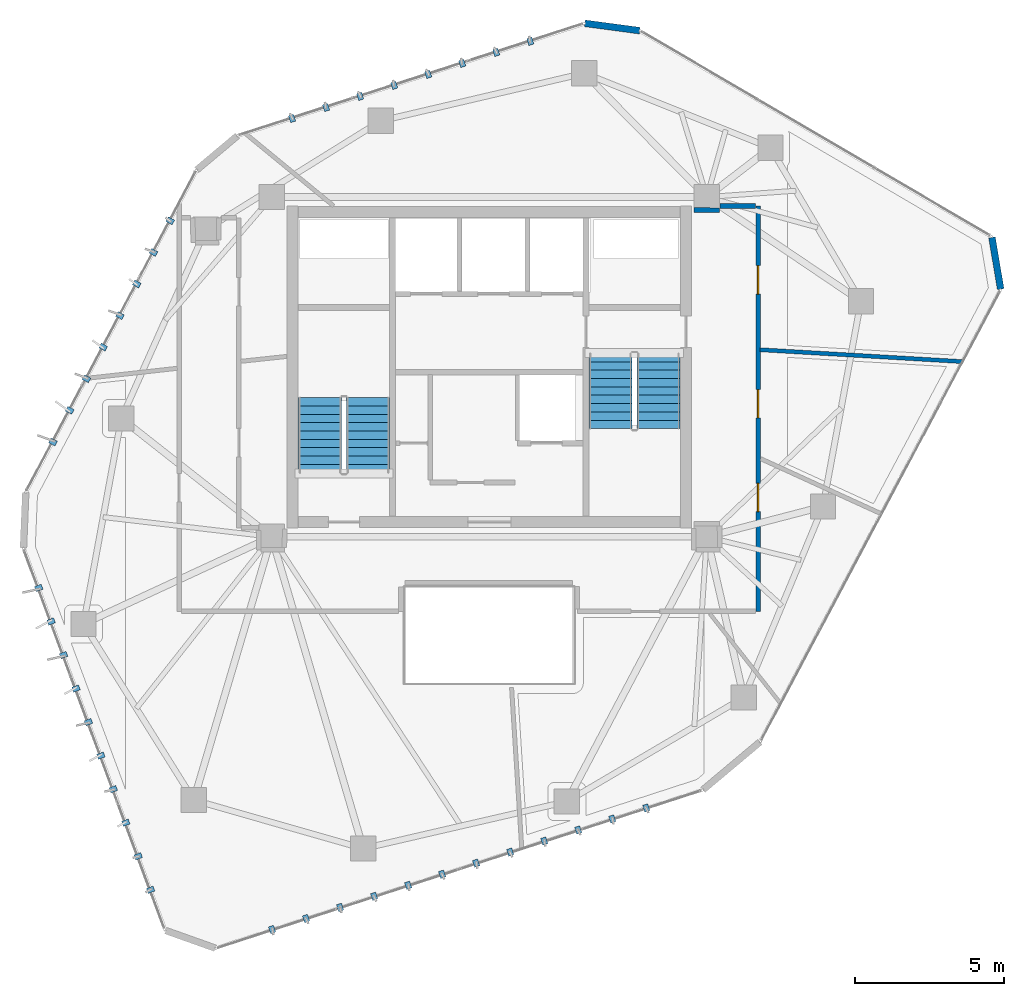
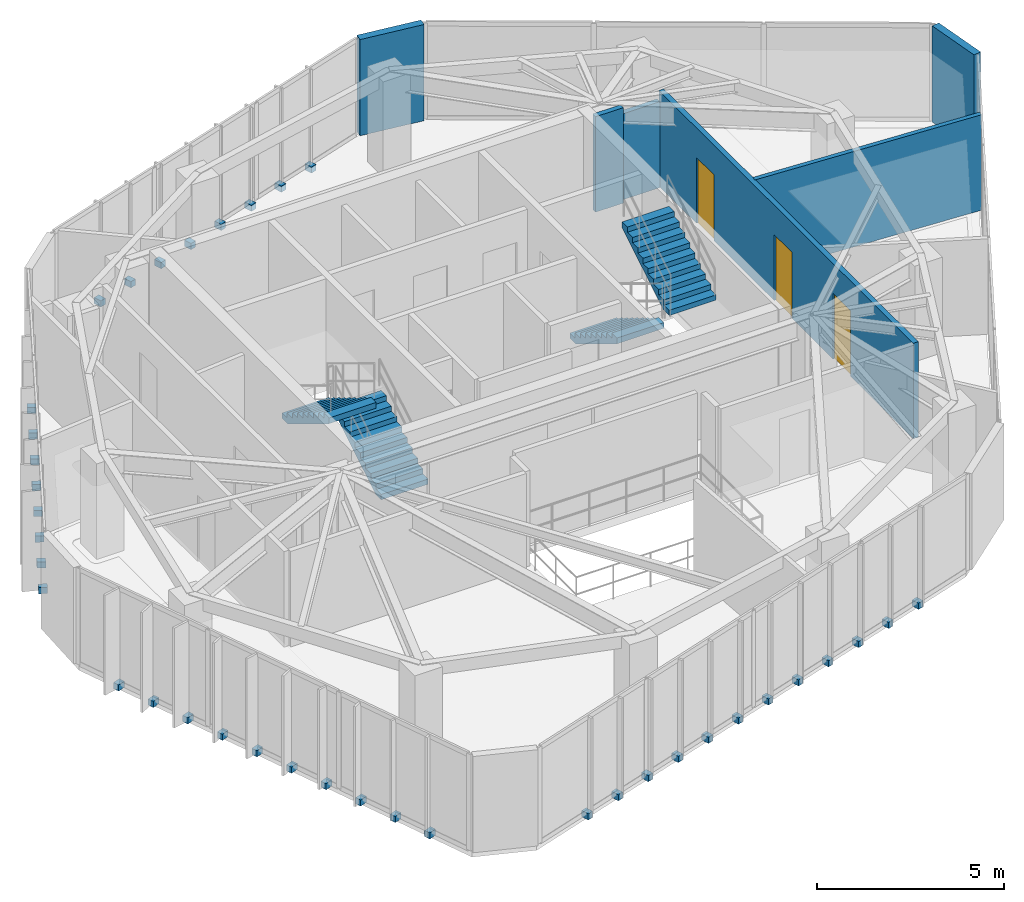
# One storey, part 17 of 19: 38 discrete accessories, 6 walls, 4 stair flights, 3 doors, 3 openings, 2 elements without a shape of their own.
"""IFC4 building model written with IfcOpenShell, lengths in metres."""

from ifc_helpers import new_model, si_unit, direction, frame, frame_2d, origin, origin_2d, place, context, subcontext, project, spatial, polyline, rectangle, outline, extrude, source, transform, mapped, material, layer, layer_set, type_object, type_shapes, element, fill, aggregate, save


model = new_model("IFC4")

# Units and contexts
model_context = context("Model", 3, precision=1e-05, world=origin(), true_north=direction((0.0, 1.0)))
body_context = subcontext(model_context, "Body", "Model", "MODEL_VIEW")
ifc_project = project(units=[si_unit("LENGTHUNIT", "METRE"), si_unit("AREAUNIT", "SQUARE_METRE"), si_unit("VOLUMEUNIT", "CUBIC_METRE"), si_unit("PLANEANGLEUNIT", "RADIAN"), si_unit("MASSUNIT", "GRAM", prefix="KILO")], contexts=[model_context])

# Site, building, storey
site_placement = place(None, origin())
site = spatial("IfcSite", under=ifc_project, at=site_placement, CompositionType="ELEMENT")
building_placement = place(site_placement, origin())
building = spatial("IfcBuilding", under=site, at=building_placement, Name="Talar Marvaseh", CompositionType="ELEMENT")
storey_placement = place(building_placement, frame((0.0, 0.0, 288.39990234375)))
storey = spatial("IfcBuildingStorey", under=building, at=storey_placement, Name="L77", CompositionType="ELEMENT", Elevation=288.39990234375)

# Walls
ifc_material_1 = material(Name="Precast concrete C45/55", Category="concrete")
ifc_layer_1 = layer(ifc_material_1, 0.22509765625)
ifc_layer_set_1 = layer_set([ifc_layer_1], Name="Precast concrete C45/55")
wall_type_1 = type_object("IfcWallType", Name="Chamfered Hexagonal Corner Pier Wall Z4 225", PredefinedType="SOLIDWALL", material=ifc_layer_set_1)
wall_1_placement = place(storey_placement, frame((29.209716796875, 42.726806640625, 0.0), z_axis=(0.0, 0.0, 1.0), x_axis=(0.991157701661, -0.132689149659, 0.0)))
element("IfcWall", 1, at=wall_1_placement, inside=storey, type_object=wall_type_1, Name="L77 Chamfered Corner Limestone Pier 4", PredefinedType="SOLIDWALL", context=body_context, shape_type="SweptSolid", body=[
    extrude(rectangle(XDim=1.8564453125, YDim=0.22509765625, at=frame_2d((0.92822265625, 0.0))), origin(), (0.0, 0.0, 1.0), 3.14013671875),
])
wall_2_placement = place(storey_placement, frame((42.867431640625, 35.54248046875, 0.0), z_axis=(0.0, 0.0, 1.0), x_axis=(0.166380537977, -0.98606161906, 0.0)))
element("IfcWall", 2, at=wall_2_placement, inside=storey, type_object=wall_type_1, Name="L77 Chamfered Corner Limestone Pier 5", PredefinedType="SOLIDWALL", context=body_context, shape_type="SweptSolid", body=[
    extrude(rectangle(XDim=1.7578125, YDim=0.22509765625, at=frame_2d((0.87890625, 0.0))), origin(), (0.0, 0.0, 1.0), 3.14013671875),
])

# Wall, openings, doors
ifc_material_2 = material(Name="Gypsum Board Partition Assembly")
ifc_layer_2 = layer(ifc_material_2, 0.155029296875)
ifc_layer_set_2 = layer_set([ifc_layer_2], Name="Gypsum Board Partition Assembly")
wall_type_2 = type_object("IfcWallType", Name="Corridor Fire-Rated Acoustic Partition 155", PredefinedType="PARTITIONING", material=ifc_layer_set_2)
wall_3_placement = place(storey_placement, frame((35.02001953125, 36.60009765625, 0.0), z_axis=(0.0, 0.0, 1.0), x_axis=(0.0, -1.0, 0.0)))
wall_3 = element("IfcWall", 3, at=wall_3_placement, inside=storey, type_object=wall_type_2, Name="L77 Interior Partition Wall", PredefinedType="PARTITIONING", context=body_context, shape_type="SweptSolid", body=[
    extrude(rectangle(XDim=13.60009765625, YDim=0.155029296875, at=frame_2d((6.800048828125, 0.0))), origin(), (0.0, 0.0, 1.0), 3.114990234375),
])
opening_1_placement = place(wall_3_placement, frame((9.305908203125, 0.0, 0.0)))
opening_1 = element("IfcOpeningElement", 4, at=opening_1_placement, cuts=wall_3, Name="Opening DR-WC095", PredefinedType="OPENING", context=body_context, shape_type="SweptSolid", body=[
    extrude(rectangle(XDim=0.949951171875, YDim=2.14990234375, at=frame_2d((0.47509765625, 1.074951171875))), frame((0.0, 0.08740234375, 0.0), z_axis=(0.0, -1.0, 0.0), x_axis=(1.0, 0.0, 0.0)), (0.0, 0.0, 1.0), 0.175048828125),
])
opening_2_placement = place(wall_3_placement, frame((6.160888671875, 0.0, 0.0)))
opening_2 = element("IfcOpeningElement", 5, at=opening_2_placement, cuts=wall_3, Name="Opening DR-WC095", PredefinedType="OPENING", context=body_context, shape_type="SweptSolid", body=[
    extrude(rectangle(XDim=0.949951171875, YDim=2.14990234375, at=frame_2d((0.47509765625, 1.074951171875))), frame((0.0, 0.08740234375, 0.0), z_axis=(0.0, -1.0, 0.0), x_axis=(1.0, 0.0, 0.0)), (0.0, 0.0, 1.0), 0.175048828125),
])
opening_3_placement = place(wall_3_placement, frame((2.006103515625, 0.0, 0.0)))
opening_3 = element("IfcOpeningElement", 6, at=opening_3_placement, cuts=wall_3, Name="Opening DR-WC095", PredefinedType="OPENING", context=body_context, shape_type="SweptSolid", body=[
    extrude(rectangle(XDim=0.949951171875, YDim=2.14990234375, at=frame_2d((0.47509765625, 1.074951171875))), frame((0.0, 0.08740234375, 0.0), z_axis=(0.0, -1.0, 0.0), x_axis=(1.0, 0.0, 0.0)), (0.0, 0.0, 1.0), 0.175048828125),
])
ifc_material_3 = material(Name="Acoustic Engineered Oak Timber", Category="wood")
door_type = type_object("IfcDoorType", Name="Washroom and Service Room Door 950x2150", OperationType="NOTDEFINED", PredefinedType="DOOR", material=ifc_material_3)
shared_shape_1 = source(origin(), body_context, "Body", "SweptSolid", [
    extrude(rectangle(XDim=0.949951171875, YDim=2.14990234375, at=frame_2d((0.47509765625, 1.074951171875))), frame((0.0, 0.02490234375, 0.0), z_axis=(0.0, -1.0, 0.0), x_axis=(1.0, 0.0, 0.0)), (0.0, 0.0, 1.0), 0.050048828125),
])
type_shapes(door_type, [shared_shape_1])
door_1_placement = place(opening_1_placement, origin())
door_1 = element("IfcDoor", 7, at=door_1_placement, inside=storey, type_object=door_type, Name="L77 Accessible WC Door", OperationType="SINGLE_SWING_RIGHT", OverallHeight=2.14990234375, OverallWidth=0.949951171875, PredefinedType="DOOR", context=body_context, shape_type="MappedRepresentation", body=[
    mapped(shared_shape_1, transform((0.0, 0.0, 0.0), x_axis=(1.0, 0.0, 0.0), y_axis=(0.0, 1.0, 0.0), z_axis=(0.0, 0.0, 1.0), scale=1.0)),
])
fill(opening_1, door_1)
door_2_placement = place(opening_2_placement, origin())
door_2 = element("IfcDoor", 8, at=door_2_placement, inside=storey, type_object=door_type, Name="L77 Collection Conservation Store Door", OperationType="SINGLE_SWING_LEFT", OverallHeight=2.14990234375, OverallWidth=0.949951171875, PredefinedType="DOOR", context=body_context, shape_type="MappedRepresentation", body=[
    mapped(shared_shape_1, transform((0.0, 0.0, 0.0), x_axis=(1.0, 0.0, 0.0), y_axis=(0.0, 1.0, 0.0), z_axis=(0.0, 0.0, 1.0), scale=1.0)),
])
fill(opening_2, door_2)
door_3_placement = place(opening_3_placement, origin())
door_3 = element("IfcDoor", 9, at=door_3_placement, inside=storey, type_object=door_type, Name="L77 Scholars' Servery Pantry Door", OperationType="SINGLE_SWING_RIGHT", OverallHeight=2.14990234375, OverallWidth=0.949951171875, PredefinedType="DOOR", context=body_context, shape_type="MappedRepresentation", body=[
    mapped(shared_shape_1, transform((0.0, 0.0, 0.0), x_axis=(1.0, 0.0, 0.0), y_axis=(0.0, 1.0, 0.0), z_axis=(0.0, 0.0, 1.0), scale=1.0)),
])
fill(opening_3, door_3)

# Walls
wall_4_placement = place(storey_placement, frame((32.8701171875, 36.464599609375, 0.0), z_axis=(0.0, 0.0, 1.0), x_axis=(0.999986873463, -0.005123758532, 0.0)))
element("IfcWall", 10, at=wall_4_placement, inside=storey, type_object=wall_type_2, Name="L77 Interior Partition Wall", PredefinedType="PARTITIONING", context=body_context, shape_type="SweptSolid", body=[
    extrude(rectangle(XDim=0.857666015625, YDim=0.155029296875, at=frame_2d((0.4287109375, 0.0))), origin(), (0.0, 0.0, 1.0), 3.114990234375),
])
wall_5_placement = place(storey_placement, frame((33.739990234375, 36.60009765625, 0.0), z_axis=(0.0, 0.0, 1.0), x_axis=(1.0, 0.0, 0.0)))
element("IfcWall", 11, at=wall_5_placement, inside=storey, type_object=wall_type_2, Name="L77 Interior Partition Wall", PredefinedType="PARTITIONING", context=body_context, shape_type="SweptSolid", body=[
    extrude(rectangle(XDim=1.196533203125, YDim=0.155029296875, at=frame_2d((0.59814453125, 0.0))), origin(), (0.0, 0.0, 1.0), 2.802001953125),
])
ifc_layer_3 = layer(ifc_material_2, 0.135009765625)
ifc_layer_set_3 = layer_set([ifc_layer_3], Name="Gypsum Board Partition Assembly")
wall_type_3 = type_object("IfcWallType", Name="Gallery High-Acoustic Partition 135", PredefinedType="PARTITIONING", material=ifc_layer_set_3)
wall_6_placement = place(storey_placement, frame((35.0849609375, 31.776123046875, 0.0), z_axis=(0.0, 0.0, 1.0), x_axis=(0.998279210809, -0.058639724304, 0.0)))
element("IfcWall", 12, at=wall_6_placement, inside=storey, type_object=wall_type_3, Name="L77 Interior Partition Wall", PredefinedType="PARTITIONING", context=body_context, shape_type="SweptSolid", body=[
    extrude(rectangle(XDim=6.7822265625, YDim=0.135009765625, at=frame_2d((3.39111328125, 0.0))), origin(), (0.0, 0.0, 1.0), 3.114990234375),
])

# Stair, stair flights
ifc_material_4 = material(Name="Concrete C40/50", Category="concrete")
stair_type = type_object("IfcStairType", Name="Reinforced Concrete High-Rise Exit Stair Type C", PredefinedType="HALF_TURN_STAIR", material=ifc_material_4)
stair_1_placement = place(storey_placement, origin())
stair_1 = element("IfcStair", 13, at=stair_1_placement, inside=storey, type_object=stair_type, Name="L77 Tower West Core Exit Stair", PredefinedType="HALF_TURN_STAIR")
ifc_layer_4 = layer(ifc_material_4, 0.159912109375)
ifc_layer_set_4 = layer_set([ifc_layer_4], Name="Concrete C40/50")
stair_flight_type = type_object("IfcStairFlightType", Name="Reinforced Concrete Straight Stair Flight 160", PredefinedType="STRAIGHT", material=ifc_layer_set_4)
stair_flight_1_placement = place(storey_placement, frame((21.93505859375, 27.64990234375, 0.0), z_axis=(0.0, 0.0, 1.0), x_axis=(0.0, 1.0, 0.0)))
stair_flight_1 = element("IfcStairFlight", 14, at=stair_flight_1_placement, type_object=stair_flight_type, Name="ST-1 flight 1", NumberOfRisers=10, NumberOfTreads=9, PredefinedType="STRAIGHT", RiserHeight=0.17, TreadLength=0.28, context=body_context, shape_type="SweptSolid", body=[
    extrude(outline(polyline([(0.0, 0.0), (0.0, 0.169921875), (0.280029296875, 0.169921875), (0.280029296875, 0.340087890625), (0.56005859375, 0.340087890625), (0.56005859375, 0.510009765625), (0.840087890625, 0.510009765625), (0.840087890625, 0.679931640625), (1.1201171875, 0.679931640625), (1.1201171875, 0.85009765625), (1.39990234375, 0.85009765625), (1.39990234375, 1.02001953125), (1.679931640625, 1.02001953125), (1.679931640625, 1.18994140625), (1.9599609375, 1.18994140625), (1.9599609375, 1.360107421875), (2.239990234375, 1.360107421875), (2.239990234375, 1.530029296875), (2.52001953125, 1.530029296875), (2.52001953125, 1.699951171875), (2.52001953125, 1.343017578125), (0.30810546875, 0.0), (0.0, 0.0)])), frame((0.0, 0.72509765625, 0.0), z_axis=(0.0, -1.0, 0.0), x_axis=(1.0, 0.0, 0.0)), (0.0, 0.0, 1.0), 1.449951171875),
])
stair_flight_2_placement = place(storey_placement, frame((20.324951171875, 30.169921875, 1.7001953125), z_axis=(0.0, 0.0, 1.0), x_axis=(0.0, -1.0, 0.0)))
stair_flight_2 = element("IfcStairFlight", 15, at=stair_flight_2_placement, type_object=stair_flight_type, Name="ST-1 flight 2", NumberOfRisers=10, NumberOfTreads=9, PredefinedType="STRAIGHT", RiserHeight=0.17, TreadLength=0.28, context=body_context, shape_type="SweptSolid", body=[
    extrude(outline(polyline([(0.0, 0.0), (0.0, 0.169921875), (0.280029296875, 0.169921875), (0.280029296875, 0.340087890625), (0.56005859375, 0.340087890625), (0.56005859375, 0.510009765625), (0.840087890625, 0.510009765625), (0.840087890625, 0.679931640625), (1.1201171875, 0.679931640625), (1.1201171875, 0.85009765625), (1.39990234375, 0.85009765625), (1.39990234375, 1.02001953125), (1.679931640625, 1.02001953125), (1.679931640625, 1.18994140625), (1.9599609375, 1.18994140625), (1.9599609375, 1.360107421875), (2.239990234375, 1.360107421875), (2.239990234375, 1.530029296875), (2.52001953125, 1.530029296875), (2.52001953125, 1.699951171875), (2.52001953125, 1.343017578125), (0.30810546875, 0.0), (0.0, 0.0)])), frame((0.0, 0.72509765625, 0.0), z_axis=(0.0, -1.0, 0.0), x_axis=(1.0, 0.0, 0.0)), (0.0, 0.0, 1.0), 1.449951171875),
])
aggregate(stair_1, [stair_flight_1, stair_flight_2])

stair_2_placement = place(storey_placement, origin())
stair_2 = element("IfcStair", 16, at=stair_2_placement, inside=storey, type_object=stair_type, Name="L77 Tower East Core Exit Stair", PredefinedType="HALF_TURN_STAIR")
stair_flight_3_placement = place(storey_placement, frame((30.06494140625, 31.64990234375, 0.0), z_axis=(0.0, 0.0, 1.0), x_axis=(0.0, -1.0, 0.0)))
stair_flight_3 = element("IfcStairFlight", 17, at=stair_flight_3_placement, type_object=stair_flight_type, Name="ST-2 flight 1", NumberOfRisers=10, NumberOfTreads=9, PredefinedType="STRAIGHT", RiserHeight=0.17, TreadLength=0.28, context=body_context, shape_type="SweptSolid", body=[
    extrude(outline(polyline([(0.0, 0.0), (0.0, 0.169921875), (0.280029296875, 0.169921875), (0.280029296875, 0.340087890625), (0.56005859375, 0.340087890625), (0.56005859375, 0.510009765625), (0.840087890625, 0.510009765625), (0.840087890625, 0.679931640625), (1.1201171875, 0.679931640625), (1.1201171875, 0.85009765625), (1.39990234375, 0.85009765625), (1.39990234375, 1.02001953125), (1.679931640625, 1.02001953125), (1.679931640625, 1.18994140625), (1.9599609375, 1.18994140625), (1.9599609375, 1.360107421875), (2.239990234375, 1.360107421875), (2.239990234375, 1.530029296875), (2.52001953125, 1.530029296875), (2.52001953125, 1.699951171875), (2.52001953125, 1.343017578125), (0.30810546875, 0.0), (0.0, 0.0)])), frame((0.0, 0.72509765625, 0.0), z_axis=(0.0, -1.0, 0.0), x_axis=(1.0, 0.0, 0.0)), (0.0, 0.0, 1.0), 1.449951171875),
])
stair_flight_4_placement = place(storey_placement, frame((31.675048828125, 29.1298828125, 1.7001953125), z_axis=(0.0, 0.0, 1.0), x_axis=(0.0, 1.0, 0.0)))
stair_flight_4 = element("IfcStairFlight", 18, at=stair_flight_4_placement, type_object=stair_flight_type, Name="ST-2 flight 2", NumberOfRisers=10, NumberOfTreads=9, PredefinedType="STRAIGHT", RiserHeight=0.17, TreadLength=0.28, context=body_context, shape_type="SweptSolid", body=[
    extrude(outline(polyline([(0.0, 0.0), (0.0, 0.169921875), (0.280029296875, 0.169921875), (0.280029296875, 0.340087890625), (0.56005859375, 0.340087890625), (0.56005859375, 0.510009765625), (0.840087890625, 0.510009765625), (0.840087890625, 0.679931640625), (1.1201171875, 0.679931640625), (1.1201171875, 0.85009765625), (1.39990234375, 0.85009765625), (1.39990234375, 1.02001953125), (1.679931640625, 1.02001953125), (1.679931640625, 1.18994140625), (1.9599609375, 1.18994140625), (1.9599609375, 1.360107421875), (2.239990234375, 1.360107421875), (2.239990234375, 1.530029296875), (2.52001953125, 1.530029296875), (2.52001953125, 1.699951171875), (2.52001953125, 1.343017578125), (0.30810546875, 0.0), (0.0, 0.0)])), frame((0.0, 0.72509765625, 0.0), z_axis=(0.0, -1.0, 0.0), x_axis=(1.0, 0.0, 0.0)), (0.0, 0.0, 1.0), 1.449951171875),
])
aggregate(stair_2, [stair_flight_3, stair_flight_4])

# Discrete accessories
ifc_material_5 = material(Name="Stainless Steel Grade 316", Category="steel")
discrete_accessory_type = type_object("IfcDiscreteAccessoryType", Name="Stainless Slab-Edge Fin Mounting Bracket", PredefinedType="BRACKET", material=ifc_material_5)
shared_shape_2 = source(origin(), body_context, "Body", "SweptSolid", [
    extrude(rectangle(XDim=0.239990234375, YDim=0.179931640625, at=origin_2d()), origin(), (0.0, 0.0, 1.0), 0.199951171875),
])
type_shapes(discrete_accessory_type, [shared_shape_2])
for number, where, z_axis, x_axis, name in (
    (19, (14.640380859375, 13.656982421875, -0.1796875), (0.0, 0.0, 1.0), (-0.937585819058, -0.347753981862, 0.0), "L77 Vertical Fin Slab-Edge Bracket"),
    (20, (14.223388671875, 14.781982421875, -0.1796875), (0.0, 0.0, 1.0), (-0.937585819058, -0.347753981862, 0.0), "L77 Vertical Fin Slab-Edge Bracket"),
    (21, (13.80615234375, 15.9072265625, -0.1796875), (0.0, 0.0, 1.0), (-0.937585819058, -0.347753981862, 0.0), "L77 Vertical Fin Slab-Edge Bracket"),
    (22, (13.388916015625, 17.0322265625, -0.1796875), (0.0, 0.0, 1.0), (-0.937585819058, -0.347753981862, 0.0), "L77 Vertical Fin Slab-Edge Bracket"),
    (23, (12.9716796875, 18.157470703125, -0.1796875), (0.0, 0.0, 1.0), (-0.937585819058, -0.347753981862, 0.0), "L77 Vertical Fin Slab-Edge Bracket"),
    (24, (12.554443359375, 19.28271484375, -0.1796875), (0.0, 0.0, 1.0), (-0.937585819058, -0.347753981862, 0.0), "L77 Vertical Fin Slab-Edge Bracket"),
    (25, (12.13720703125, 20.40771484375, -0.1796875), (0.0, 0.0, 1.0), (-0.937585819058, -0.347753981862, 0.0), "L77 Vertical Fin Slab-Edge Bracket"),
    (26, (11.719970703125, 21.53271484375, -0.1796875), (0.0, 0.0, 1.0), (-0.937585819058, -0.347753981862, 0.0), "L77 Vertical Fin Slab-Edge Bracket"),
    (27, (11.302734375, 22.657958984375, -0.1796875), (0.0, 0.0, 1.0), (-0.937585819058, -0.347753981862, 0.0), "L77 Vertical Fin Slab-Edge Bracket"),
    (28, (10.885498046875, 23.783203125, -0.1796875), (0.0, 0.0, 1.0), (-0.937585819058, -0.347753981862, 0.0), "L77 Vertical Fin Slab-Edge Bracket"),
    (29, (11.363037109375, 28.680908203125, -0.1796875), (0.0, 0.0, 1.0), (-0.883520501477, 0.468392488698, 0.0), "L77 Vertical Fin Slab-Edge Bracket"),
    (30, (11.92529296875, 29.740966796875, -0.1796875), (0.0, 0.0, 1.0), (-0.883520501477, 0.468392488698, 0.0), "L77 Vertical Fin Slab-Edge Bracket"),
    (31, (12.4873046875, 30.80126953125, -0.1796875), (0.0, 0.0, 1.0), (-0.883520501477, 0.468392488698, 0.0), "L77 Vertical Fin Slab-Edge Bracket"),
    (32, (13.049560546875, 31.861328125, -0.1796875), (0.0, 0.0, 1.0), (-0.883520501477, 0.468392488698, 0.0), "L77 Vertical Fin Slab-Edge Bracket"),
    (33, (13.611572265625, 32.921630859375, -0.1796875), (0.0, 0.0, 1.0), (-0.883520501477, 0.468392488698, 0.0), "L77 Vertical Fin Slab-Edge Bracket"),
    (34, (14.173583984375, 33.981689453125, -0.1796875), (0.0, 0.0, 1.0), (-0.883520501477, 0.468392488698, 0.0), "L77 Vertical Fin Slab-Edge Bracket"),
    (35, (14.73583984375, 35.0419921875, -0.1796875), (0.0, 0.0, 1.0), (-0.883520501477, 0.468392488698, 0.0), "L77 Vertical Fin Slab-Edge Bracket"),
    (36, (15.2978515625, 36.102294921875, -0.1796875), (0.0, 0.0, 1.0), (-0.883520501477, 0.468392488698, 0.0), "L77 Vertical Fin Slab-Edge Bracket"),
    (37, (19.386962890625, 39.533203125, -0.1796875), (0.0, 0.0, 1.0), (-0.30785482931, 0.951433341896, 0.0), "L77 Vertical Fin Slab-Edge Bracket"),
    (38, (20.528564453125, 39.902587890625, -0.1796875), (0.0, 0.0, 1.0), (-0.30785482931, 0.951433341896, 0.0), "L77 Vertical Fin Slab-Edge Bracket"),
    (39, (21.67041015625, 40.272216796875, -0.1796875), (0.0, 0.0, 1.0), (-0.30785482931, 0.951433341896, 0.0), "L77 Vertical Fin Slab-Edge Bracket"),
    (40, (22.81201171875, 40.6416015625, -0.1796875), (0.0, 0.0, 1.0), (-0.30785482931, 0.951433341896, 0.0), "L77 Vertical Fin Slab-Edge Bracket"),
    (41, (23.95361328125, 41.010986328125, -0.1796875), (0.0, 0.0, 1.0), (-0.30785482931, 0.951433341896, 0.0), "L77 Vertical Fin Slab-Edge Bracket"),
    (42, (25.095458984375, 41.380615234375, -0.1796875), (0.0, 0.0, 1.0), (-0.30785482931, 0.951433341896, 0.0), "L77 Vertical Fin Slab-Edge Bracket"),
    (43, (26.237060546875, 41.75, -0.1796875), (0.0, 0.0, 1.0), (-0.30785482931, 0.951433341896, 0.0), "L77 Vertical Fin Slab-Edge Bracket"),
    (44, (27.37890625, 42.119384765625, -0.1796875), (0.0, 0.0, 1.0), (-0.30785482931, 0.951433341896, 0.0), "L77 Vertical Fin Slab-Edge Bracket"),
    (45, (31.268798828125, 16.405517578125, -0.1796875), (0.0, 0.0, 1.0), (0.309182980343, -0.95100256817, 0.0), "L77 Vertical Fin Slab-Edge Bracket"),
    (46, (30.127685546875, 16.03466796875, -0.1796875), (0.0, 0.0, 1.0), (0.309182980343, -0.95100256817, 0.0), "L77 Vertical Fin Slab-Edge Bracket"),
    (47, (28.986328125, 15.66357421875, -0.1796875), (0.0, 0.0, 1.0), (0.309182980343, -0.95100256817, 0.0), "L77 Vertical Fin Slab-Edge Bracket"),
    (48, (27.84521484375, 15.29248046875, -0.1796875), (0.0, 0.0, 1.0), (0.309182980343, -0.95100256817, 0.0), "L77 Vertical Fin Slab-Edge Bracket"),
    (49, (26.703857421875, 14.921630859375, -0.1796875), (0.0, 0.0, 1.0), (0.309182980343, -0.95100256817, 0.0), "L77 Vertical Fin Slab-Edge Bracket"),
    (50, (25.562744140625, 14.55078125, -0.1796875), (0.0, 0.0, 1.0), (0.309182980343, -0.95100256817, 0.0), "L77 Vertical Fin Slab-Edge Bracket"),
    (51, (24.42138671875, 14.1796875, -0.1796875), (0.0, 0.0, 1.0), (0.309182980343, -0.95100256817, 0.0), "L77 Vertical Fin Slab-Edge Bracket"),
    (52, (23.2802734375, 13.80859375, -0.1796875), (0.0, 0.0, 1.0), (0.309182980343, -0.95100256817, 0.0), "L77 Vertical Fin Slab-Edge Bracket"),
    (53, (22.13916015625, 13.437744140625, -0.1796875), (0.0, 0.0, 1.0), (0.309182980343, -0.95100256817, 0.0), "L77 Vertical Fin Slab-Edge Bracket"),
    (54, (20.997802734375, 13.066650390625, -0.1796875), (0.0, 0.0, 1.0), (0.309182980343, -0.95100256817, 0.0), "L77 Vertical Fin Slab-Edge Bracket"),
    (55, (19.856689453125, 12.69580078125, -0.1796875), (0.0, 0.0, 1.0), (0.309182980343, -0.95100256817, 0.0), "L77 Vertical Fin Slab-Edge Bracket"),
    (56, (18.715576171875, 12.32470703125, -0.1796875), (0.0, 0.0, 1.0), (0.309182980343, -0.95100256817, 0.0), "L77 Vertical Fin Slab-Edge Bracket"),
):
    element("IfcDiscreteAccessory", number, at=place(storey_placement, frame(where, z_axis=z_axis, x_axis=x_axis)), inside=storey, type_object=discrete_accessory_type, Name=name, PredefinedType="BRACKET", context=body_context, shape_type="MappedRepresentation", body=[
        mapped(shared_shape_2, transform((0.0, 0.0, 0.0), x_axis=(1.0, 0.0, 0.0), y_axis=(0.0, 1.0, 0.0), z_axis=(0.0, 0.0, 1.0), scale=1.0)),
    ])

save(model, "model.ifc")
